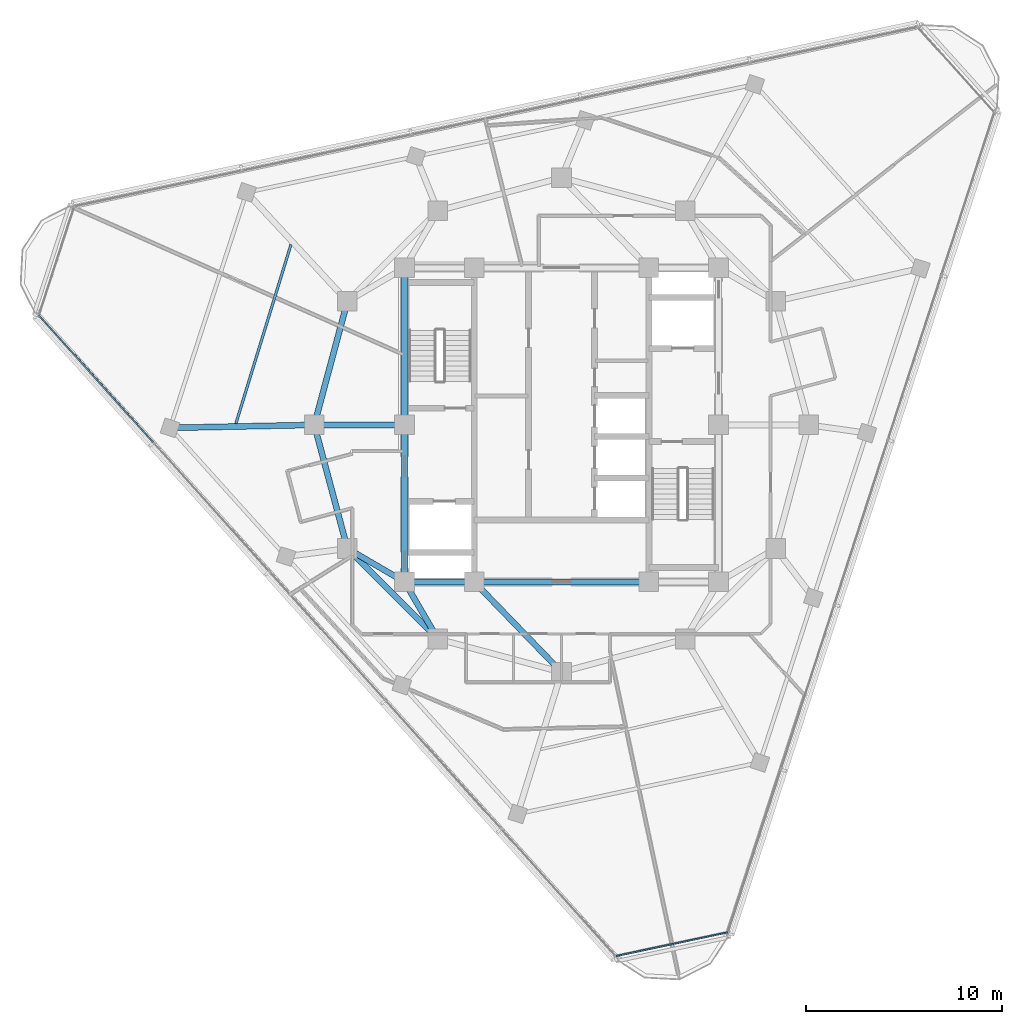
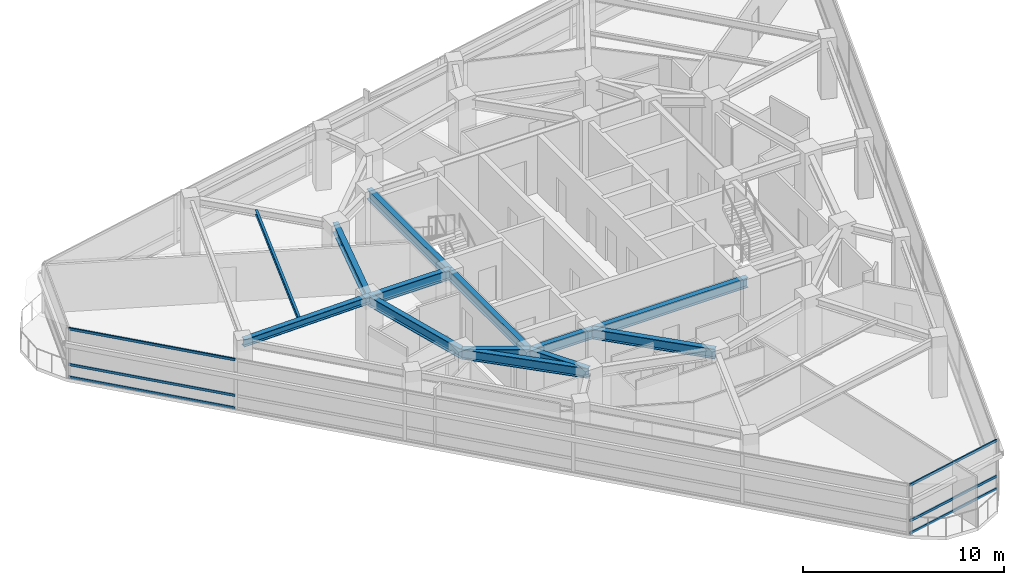
# One storey, part 3 of 15: 13 beams, 6 members, 2 elements without a shape of their own.
"""IFC4 building model written with IfcOpenShell, lengths in metres."""

from ifc_helpers import new_model, si_unit, direction, frame, origin, origin_2d, place, context, subcontext, project, spatial, rectangle, i_section, extrude, material, layer, layer_set, material_profile, profile_set, type_object, element, aggregate, save


model = new_model("IFC4")

# Units and contexts
model_context = context("Model", 3, precision=1e-05, world=origin(), true_north=direction((0.0, 1.0)))
body_context = subcontext(model_context, "Body", "Model", "MODEL_VIEW")
ifc_project = project(units=[si_unit("LENGTHUNIT", "METRE"), si_unit("AREAUNIT", "SQUARE_METRE"), si_unit("VOLUMEUNIT", "CUBIC_METRE"), si_unit("PLANEANGLEUNIT", "RADIAN"), si_unit("MASSUNIT", "GRAM", prefix="KILO")], contexts=[model_context])

# Site, building, storey
site_placement = place(None, origin())
site = spatial("IfcSite", under=ifc_project, at=site_placement, CompositionType="ELEMENT")
building_placement = place(site_placement, origin())
building = spatial("IfcBuilding", under=site, at=building_placement, Name="Terralouvre Media Tower", CompositionType="ELEMENT")
storey_placement = place(building_placement, frame((0.0, 0.0, 283.199951171875)))
storey = spatial("IfcBuildingStorey", under=building, at=storey_placement, Name="L73", CompositionType="ELEMENT", Elevation=283.199951171875)

# Beam
ifc_material_1 = material(Name="Structural steel S355J2", Category="steel")
ifc_material_profile_1 = material_profile(ifc_material_1, i_section(OverallWidth=0.135009765625, OverallDepth=0.27001953125, WebThickness=0.006591796875, FlangeThickness=0.01025390625, at=origin_2d()), Name="IPE 270")
ifc_profile_set_1 = profile_set([ifc_material_profile_1], Name="Structural steel S355J2")
beam_type_1 = type_object("IfcBeamType", Name="Composite Floor Joist J-IPE270 (IPE 270)", PredefinedType="JOIST", material=ifc_profile_set_1)
beam_1_placement = place(storey_placement, frame((-13.788330078125, 9.187744140625, 3.364990234375), z_axis=(-0.294195495195, -0.955745264496, 0.0), x_axis=(0.955745264496, -0.294195495195, 0.0)))
element("IfcBeam", 1, at=beam_1_placement, inside=storey, type_object=beam_type_1, Name="L73 Framing Beam JT-L73-06", PredefinedType="JOIST", context=body_context, shape_type="SweptSolid", body=[
    extrude(i_section(OverallWidth=0.135009765625, OverallDepth=0.27001953125, WebThickness=0.006591796875, FlangeThickness=0.01025390625, at=origin_2d()), origin(), (0.0, 0.0, 1.0), 9.544189453125),
])

# Curtain wall, members
ifc_material_2 = material(Name="Low-iron laminated double glazing with solar-control coating", Category="glass")
ifc_layer_1 = layer(ifc_material_2, 0.1650390625, Name="Faceted Glass-Point Crown Curtain Wall CW-06")
ifc_layer_set_1 = layer_set([ifc_layer_1], Name="Low-iron laminated double glazing with solar-control coating")
curtain_wall_type_1 = type_object("IfcCurtainWallType", Name="Faceted Glass-Point Crown Curtain Wall CW-06", PredefinedType="NOTDEFINED", material=ifc_layer_set_1)
curtain_wall_1_placement = place(storey_placement, origin())
curtain_wall_1 = element("IfcCurtainWall", 2, at=curtain_wall_1_placement, inside=storey, type_object=curtain_wall_type_1, Name="L73 Facade Curtain Wall F2", PredefinedType="NOTDEFINED")
ifc_material_3 = material(Name="Anodised extruded aluminium 6063-T6", Category="aluminium")
ifc_material_profile_2 = material_profile(ifc_material_3, rectangle(XDim=0.074951171875, YDim=0.14990234375, at=origin_2d()), Name="ALU 75x150")
ifc_profile_set_2 = profile_set([ifc_material_profile_2], Name="Anodised extruded aluminium 6063-T6")
member_type = type_object("IfcMemberType", Name="Curtain-Wall Horizontal Transom TR-150", PredefinedType="USERDEFINED", material=ifc_profile_set_2)
member_1_placement = place(storey_placement, frame((-26.64306640625, 5.59423828125, 0.03759765625), z_axis=(0.669130389016, -0.743145021174, 0.0), x_axis=(0.743145021174, 0.669130389016, 0.0)))
member_1 = element("IfcMember", 3, at=member_1_placement, type_object=member_type, Name="CW-06 transom 1.1", ObjectType="TRANSOM", PredefinedType="USERDEFINED", context=body_context, shape_type="SweptSolid", body=[
    extrude(rectangle(XDim=0.074951171875, YDim=0.14990234375, at=origin_2d()), origin(), (0.0, 0.0, 1.0), 8.71142578125),
])
member_2_placement = place(storey_placement, frame((-26.64306640625, 5.59423828125, 0.800048828125), z_axis=(0.669130389016, -0.743145021174, 0.0), x_axis=(0.743145021174, 0.669130389016, 0.0)))
member_2 = element("IfcMember", 4, at=member_2_placement, type_object=member_type, Name="CW-06 transom 1.2", ObjectType="TRANSOM", PredefinedType="USERDEFINED", context=body_context, shape_type="SweptSolid", body=[
    extrude(rectangle(XDim=0.074951171875, YDim=0.14990234375, at=origin_2d()), origin(), (0.0, 0.0, 1.0), 8.71142578125),
])
member_3_placement = place(storey_placement, frame((-26.64306640625, 5.59423828125, 2.962646484375), z_axis=(0.669130389016, -0.743145021174, 0.0), x_axis=(0.743145021174, 0.669130389016, 0.0)))
member_3 = element("IfcMember", 5, at=member_3_placement, type_object=member_type, Name="CW-06 transom 1.3", ObjectType="TRANSOM", PredefinedType="USERDEFINED", context=body_context, shape_type="SweptSolid", body=[
    extrude(rectangle(XDim=0.074951171875, YDim=0.14990234375, at=origin_2d()), origin(), (0.0, 0.0, 1.0), 8.71142578125),
])
aggregate(curtain_wall_1, [member_1, member_2, member_3])

ifc_material_4 = material(Name="Low-iron laminated double glazing with solar-control coating", Category="glass")
ifc_layer_2 = layer(ifc_material_4, 0.1650390625, Name="Rounded Wind-Corner Curved Glazing CW-04")
ifc_layer_set_2 = layer_set([ifc_layer_2], Name="Low-iron laminated double glazing with solar-control coating")
curtain_wall_type_2 = type_object("IfcCurtainWallType", Name="Rounded Wind-Corner Curved Glazing CW-04", PredefinedType="NOTDEFINED", material=ifc_layer_set_2)
curtain_wall_2_placement = place(storey_placement, origin())
curtain_wall_2 = element("IfcCurtainWall", 6, at=curtain_wall_2_placement, inside=storey, type_object=curtain_wall_type_2, Name="L73 Rounded Wind-Corner Curtain Wall C0", PredefinedType="NOTDEFINED")
member_4_placement = place(storey_placement, frame((2.783935546875, -27.0654296875, 0.03759765625), z_axis=(0.978142503597, 0.207935669515, 0.0), x_axis=(-0.207935669515, 0.978142503597, 0.0)))
member_4 = element("IfcMember", 7, at=member_4_placement, type_object=member_type, Name="CW-04 transom 1.1", ObjectType="TRANSOM", PredefinedType="USERDEFINED", context=body_context, shape_type="SweptSolid", body=[
    extrude(rectangle(XDim=0.074951171875, YDim=0.14990234375, at=origin_2d()), origin(), (0.0, 0.0, 1.0), 5.808349609375),
])
member_5_placement = place(storey_placement, frame((2.783935546875, -27.0654296875, 0.800048828125), z_axis=(0.978142503597, 0.207935669515, 0.0), x_axis=(-0.207935669515, 0.978142503597, 0.0)))
member_5 = element("IfcMember", 8, at=member_5_placement, type_object=member_type, Name="CW-04 transom 1.2", ObjectType="TRANSOM", PredefinedType="USERDEFINED", context=body_context, shape_type="SweptSolid", body=[
    extrude(rectangle(XDim=0.074951171875, YDim=0.14990234375, at=origin_2d()), origin(), (0.0, 0.0, 1.0), 5.808349609375),
])
member_6_placement = place(storey_placement, frame((2.783935546875, -27.0654296875, 2.962646484375), z_axis=(0.978142503597, 0.207935669515, 0.0), x_axis=(-0.207935669515, 0.978142503597, 0.0)))
member_6 = element("IfcMember", 9, at=member_6_placement, type_object=member_type, Name="CW-04 transom 1.3", ObjectType="TRANSOM", PredefinedType="USERDEFINED", context=body_context, shape_type="SweptSolid", body=[
    extrude(rectangle(XDim=0.074951171875, YDim=0.14990234375, at=origin_2d()), origin(), (0.0, 0.0, 1.0), 5.808349609375),
])
aggregate(curtain_wall_2, [member_4, member_5, member_6])

# Beams
ifc_material_5 = material(Name="Structural steel S355J2", Category="steel")
ifc_material_profile_3 = material_profile(ifc_material_5, i_section(OverallWidth=0.300048828125, OverallDepth=0.449951171875, WebThickness=0.013916015625, FlangeThickness=0.02587890625, at=origin_2d()), Name="HEB 450")
ifc_profile_set_3 = profile_set([ifc_material_profile_3], Name="Structural steel S355J2")
beam_type_2 = type_object("IfcBeamType", Name="Primary Floor Girder B-HEB450 (HEB 450)", PredefinedType="BEAM", material=ifc_profile_set_3)
beam_2_placement = place(storey_placement, frame((-12.60009765625, 0.0, 3.275146484375), z_axis=(-0.999787942628, -0.020592954534, 0.0), x_axis=(0.020592954534, -0.999787942628, 0.0)))
element("IfcBeam", 10, at=beam_2_placement, inside=storey, type_object=beam_type_2, Name="L73 Framing Beam BM-L73-RD01", PredefinedType="BEAM", context=body_context, shape_type="SweptSolid", body=[
    extrude(i_section(OverallWidth=0.300048828125, OverallDepth=0.449951171875, WebThickness=0.013916015625, FlangeThickness=0.02587890625, at=origin_2d()), origin(), (0.0, 0.0, 1.0), 7.350341796875),
])
ifc_material_6 = material(Name="Structural steel S460M", Category="steel")
ifc_material_profile_4 = material_profile(ifc_material_6, i_section(OverallWidth=0.300048828125, OverallDepth=0.60009765625, WebThickness=0.015380859375, FlangeThickness=0.030029296875, at=origin_2d()), Name="HEB 600")
ifc_profile_set_4 = profile_set([ifc_material_profile_4], Name="Structural steel S460M")
beam_type_3 = type_object("IfcBeamType", Name="Primary Floor Girder B-HEB600 (HEB 600)", PredefinedType="BEAM", material=ifc_profile_set_4)
beam_3_placement = place(storey_placement, frame((-8.0, -8.0, 3.199951171875), z_axis=(1.0, 0.0, 0.0), x_axis=(0.0, 1.0, 0.0)))
element("IfcBeam", 11, at=beam_3_placement, inside=storey, type_object=beam_type_3, Name="L73 Framing Beam BM-L73-CPR01", PredefinedType="BEAM", context=body_context, shape_type="SweptSolid", body=[
    extrude(i_section(OverallWidth=0.300048828125, OverallDepth=0.60009765625, WebThickness=0.015380859375, FlangeThickness=0.030029296875, at=origin_2d()), origin(), (0.0, 0.0, 1.0), 3.550048828125),
])
beam_4_placement = place(storey_placement, frame((-4.449951171875, -8.0, 3.199951171875), z_axis=(1.0, 0.0, 0.0), x_axis=(0.0, 1.0, 0.0)))
element("IfcBeam", 12, at=beam_4_placement, inside=storey, type_object=beam_type_3, Name="L73 Framing Beam BM-L73-CPR02", PredefinedType="BEAM", context=body_context, shape_type="SweptSolid", body=[
    extrude(i_section(OverallWidth=0.300048828125, OverallDepth=0.60009765625, WebThickness=0.015380859375, FlangeThickness=0.030029296875, at=origin_2d()), origin(), (0.0, 0.0, 1.0), 8.89990234375),
])
for number, where, z_axis, x_axis, name in (
    (13, (-8.0, 8.0, 3.199951171875), (0.0, -1.0, 0.0), (1.0, 0.0, 0.0), "L73 Framing Beam BM-L73-CPR09"),
    (14, (-8.0, 0.0, 3.199951171875), (0.0, -1.0, 0.0), (1.0, 0.0, 0.0), "L73 Framing Beam BM-L73-CPR10"),
):
    element("IfcBeam", number, at=place(storey_placement, frame(where, z_axis=z_axis, x_axis=x_axis)), inside=storey, type_object=beam_type_3, Name=name, PredefinedType="BEAM", context=body_context, shape_type="SweptSolid", body=[
        extrude(i_section(OverallWidth=0.300048828125, OverallDepth=0.60009765625, WebThickness=0.015380859375, FlangeThickness=0.030029296875, at=origin_2d()), origin(), (0.0, 0.0, 1.0), 8.0),
    ])
beam_5_placement = place(storey_placement, frame((-10.911865234375, -6.300048828125, 3.199951171875), z_axis=(0.707106781187, -0.707106781187, 0.0), x_axis=(0.707106781187, 0.707106781187, 0.0)))
element("IfcBeam", 15, at=beam_5_placement, inside=storey, type_object=beam_type_3, Name="L73 Framing Beam BM-L73-MR01", PredefinedType="BEAM", context=body_context, shape_type="SweptSolid", body=[
    extrude(i_section(OverallWidth=0.300048828125, OverallDepth=0.60009765625, WebThickness=0.015380859375, FlangeThickness=0.030029296875, at=origin_2d()), origin(), (0.0, 0.0, 1.0), 6.52197265625),
])
for number, where, z_axis, x_axis, name in (
    (16, (-10.911865234375, 6.300048828125, 3.199951171875), (-0.258838989821, -0.965920481897, 0.0), (0.965920481897, -0.258838989821, 0.0), "L73 Framing Beam BM-L73-MR11"),
    (17, (-12.60009765625, 0.0, 3.199951171875), (0.258838989821, -0.965920481897, 0.0), (0.965920481897, 0.258838989821, 0.0), "L73 Framing Beam BM-L73-MR12"),
):
    element("IfcBeam", number, at=place(storey_placement, frame(where, z_axis=z_axis, x_axis=x_axis)), inside=storey, type_object=beam_type_3, Name=name, PredefinedType="BEAM", context=body_context, shape_type="SweptSolid", body=[
        extrude(i_section(OverallWidth=0.300048828125, OverallDepth=0.60009765625, WebThickness=0.015380859375, FlangeThickness=0.030029296875, at=origin_2d()), origin(), (0.0, 0.0, 1.0), 6.522216796875),
    ])
for number, where, z_axis, x_axis, name in (
    (18, (-8.0, -8.0, 3.199951171875), (-0.863602894532, 0.504172629717, 0.0), (-0.504172629717, -0.863602894532, 0.0), "L73 Framing Beam BM-L73-CM01"),
    (19, (-8.0, -8.0, 3.199951171875), (0.504172629717, -0.863602894532, 0.0), (0.863602894532, 0.504172629717, 0.0), "L73 Framing Beam BM-L73-CM02"),
):
    element("IfcBeam", number, at=place(storey_placement, frame(where, z_axis=z_axis, x_axis=x_axis)), inside=storey, type_object=beam_type_3, Name=name, PredefinedType="BEAM", context=body_context, shape_type="SweptSolid", body=[
        extrude(i_section(OverallWidth=0.300048828125, OverallDepth=0.60009765625, WebThickness=0.015380859375, FlangeThickness=0.030029296875, at=origin_2d()), origin(), (0.0, 0.0, 1.0), 3.371826171875),
    ])
beam_6_placement = place(storey_placement, frame((-4.449951171875, -8.0, 3.199951171875), z_axis=(0.695279715726, -0.718739255155, 0.0), x_axis=(0.718739255155, 0.695279715726, 0.0)))
element("IfcBeam", 20, at=beam_6_placement, inside=storey, type_object=beam_type_3, Name="L73 Framing Beam BM-L73-CM03", PredefinedType="BEAM", context=body_context, shape_type="SweptSolid", body=[
    extrude(i_section(OverallWidth=0.300048828125, OverallDepth=0.60009765625, WebThickness=0.015380859375, FlangeThickness=0.030029296875, at=origin_2d()), origin(), (0.0, 0.0, 1.0), 6.400146484375),
])
beam_7_placement = place(storey_placement, frame((-8.0, 0.0, 3.199951171875), z_axis=(-1.0, 0.0, 0.0), x_axis=(0.0, -1.0, 0.0)))
element("IfcBeam", 21, at=beam_7_placement, inside=storey, type_object=beam_type_3, Name="L73 Framing Beam BM-L73-CM12", PredefinedType="BEAM", context=body_context, shape_type="SweptSolid", body=[
    extrude(i_section(OverallWidth=0.300048828125, OverallDepth=0.60009765625, WebThickness=0.015380859375, FlangeThickness=0.030029296875, at=origin_2d()), origin(), (0.0, 0.0, 1.0), 4.60009765625),
])

save(model, "model.ifc")
